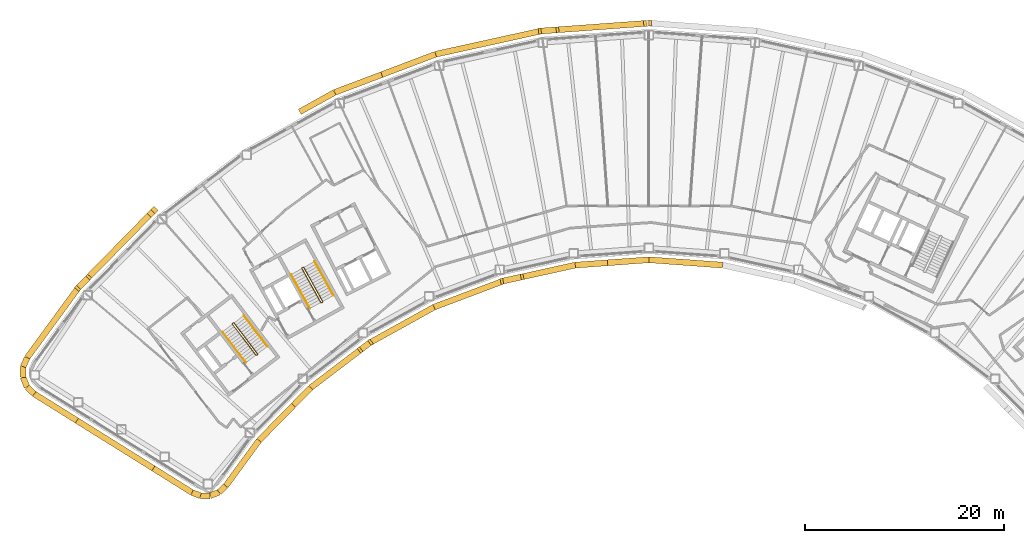
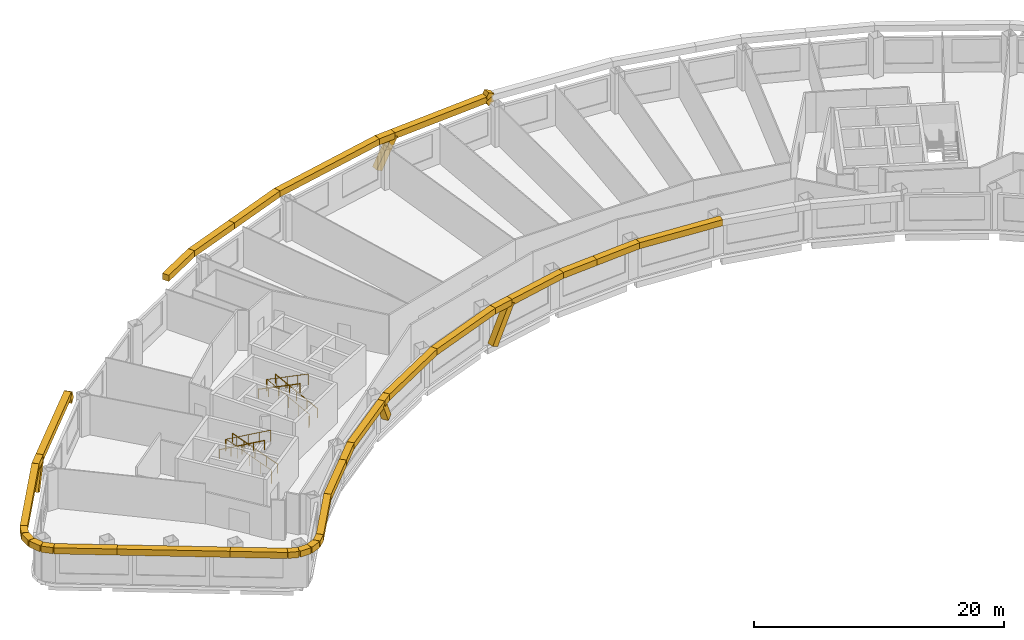
# One storey, part 13 of 14: 39 coverings, 6 railings.
"""IFC4 building model written with IfcOpenShell, lengths in metres."""

from ifc_helpers import new_model, si_unit, direction, frame, origin, origin_2d, place, context, subcontext, project, spatial, rectangle, circle, extrude, material, material_profile, profile_set, type_object, element, save


model = new_model("IFC4")

# Units and contexts
model_context = context("Model", 3, precision=1e-05, world=origin(), true_north=direction((0.0, 1.0)))
body_context = subcontext(model_context, "Body", "Model", "MODEL_VIEW")
ifc_project = project(units=[si_unit("LENGTHUNIT", "METRE"), si_unit("AREAUNIT", "SQUARE_METRE"), si_unit("VOLUMEUNIT", "CUBIC_METRE"), si_unit("PLANEANGLEUNIT", "RADIAN"), si_unit("MASSUNIT", "GRAM", prefix="KILO")], contexts=[model_context])

# Site, building, storey
site_placement = place(None, origin())
site = spatial("IfcSite", under=ifc_project, at=site_placement, CompositionType="ELEMENT")
building_placement = place(site_placement, origin())
building = spatial("IfcBuilding", under=site, at=building_placement, Name="Tuul Gate Civic Tower", CompositionType="ELEMENT")
storey_placement = place(building_placement, frame((0.0, 0.0, 213.699951171875)))
storey = spatial("IfcBuildingStorey", under=building, at=storey_placement, Name="Level 48", CompositionType="ELEMENT", Elevation=213.699951171875)

# Railings
ifc_material_1 = material(Name="Painted steel", Category="steel")
railing_type_1 = type_object("IfcRailingType", Name="Stair guard", PredefinedType="GUARDRAIL", material=ifc_material_1)
railing_1_placement = place(storey_placement, frame((-33.382080078125, -13.515380859375, 0.0)))
element("IfcRailing", 1, at=railing_1_placement, inside=storey, type_object=railing_type_1, Name="Level 48 ST-1 stair guard 1", PredefinedType="GUARDRAIL", context=body_context, shape_type="SweptSolid", body=[
    extrude(circle(Radius=0.02392578125, at=origin_2d()), frame((0.0, 0.0, 1.076171875), z_axis=(-0.795879841968, -0.605454603706, 0.0), x_axis=(0.605454603706, -0.795879841968, 0.0)), (0.0, 0.0, 1.0), 0.10009765625),
    extrude(circle(Radius=0.02392578125, at=origin_2d()), frame((-0.07958984375, -0.060546875, 1.076171875), z_axis=(0.408676696321, 0.599019267211, 0.688592241747), x_axis=(-0.826063974707, 0.563576356576, 0.0)), (0.0, 0.0, 1.0), 0.218017578125),
    extrude(circle(Radius=0.02392578125, at=origin_2d()), frame((0.009521484375, 0.070068359375, 1.22607421875), z_axis=(-0.541824460341, 0.711645023348, 0.447199748346), x_axis=(-0.795637165283, -0.60577347352, 0.0)), (0.0, 0.0, 1.0), 4.3603515625),
    extrude(circle(Radius=0.02392578125, at=origin_2d()), frame((-2.35302734375, 3.173095703125, 3.17626953125), z_axis=(-0.990893089246, 0.134650977284, 0.0), x_axis=(-0.134650977284, -0.990893089246, 0.0)), (0.0, 0.0, 1.0), 0.07080078125),
    extrude(circle(Radius=0.02392578125, at=origin_2d()), frame((-2.423095703125, 3.1826171875, 3.17626953125), z_axis=(-0.793802879778, -0.60817512943, 0.0), x_axis=(0.60817512943, -0.793802879778, 0.0)), (0.0, 0.0, 1.0), 0.099853515625),
    extrude(circle(Radius=0.02392578125, at=origin_2d()), frame((-2.50244140625, 3.121826171875, 3.17626953125), z_axis=(-0.057447065493, -0.422751481959, 0.904423031091), x_axis=(0.990893089246, -0.134650977284, 0.0)), (0.0, 0.0, 1.0), 0.165771484375),
    extrude(circle(Radius=0.02392578125, at=origin_2d()), frame((-2.511962890625, 3.0517578125, 3.326171875), z_axis=(0.541806494602, -0.71163897684, 0.447231136047), x_axis=(0.795644365679, 0.605764016233, 0.0)), (0.0, 0.0, 1.0), 4.360107421875),
    extrude(circle(Radius=0.02099609375, at=origin_2d()), origin(), (0.0, 0.0, 1.0), 1.052001953125),
    extrude(circle(Radius=0.02099609375, at=origin_2d()), frame((-0.07958984375, -0.060546875, 0.0)), (0.0, 0.0, 1.0), 1.052001953125),
    extrude(circle(Radius=0.02099609375, at=origin_2d()), frame((0.009521484375, 0.070068359375, 0.150146484375)), (0.0, 0.0, 1.0), 1.052001953125),
    extrude(circle(Radius=0.02099609375, at=origin_2d()), frame((-0.5810546875, 0.845703125, 0.6376953125)), (0.0, 0.0, 1.0), 1.052001953125),
    extrude(circle(Radius=0.02099609375, at=origin_2d()), frame((-1.171875, 1.62158203125, 1.125)), (0.0, 0.0, 1.0), 1.052001953125),
    extrude(circle(Radius=0.02099609375, at=origin_2d()), frame((-1.762451171875, 2.3974609375, 1.612548828125)), (0.0, 0.0, 1.0), 1.052001953125),
    extrude(circle(Radius=0.02099609375, at=origin_2d()), frame((-2.35302734375, 3.173095703125, 2.10009765625)), (0.0, 0.0, 1.0), 1.052001953125),
    extrude(circle(Radius=0.02099609375, at=origin_2d()), frame((-2.423095703125, 3.1826171875, 2.10009765625)), (0.0, 0.0, 1.0), 1.052001953125),
    extrude(circle(Radius=0.02099609375, at=origin_2d()), frame((-2.50244140625, 3.121826171875, 2.10009765625)), (0.0, 0.0, 1.0), 1.052001953125),
    extrude(circle(Radius=0.02099609375, at=origin_2d()), frame((-2.511962890625, 3.0517578125, 2.25)), (0.0, 0.0, 1.0), 1.052001953125),
    extrude(circle(Radius=0.02099609375, at=origin_2d()), frame((-1.92138671875, 2.276123046875, 2.737548828125)), (0.0, 0.0, 1.0), 1.052001953125),
    extrude(circle(Radius=0.02099609375, at=origin_2d()), frame((-1.330810546875, 1.50048828125, 3.22509765625)), (0.0, 0.0, 1.0), 1.052001953125),
    extrude(circle(Radius=0.02099609375, at=origin_2d()), frame((-0.740234375, 0.724609375, 3.71240234375)), (0.0, 0.0, 1.0), 1.052001953125),
    extrude(circle(Radius=0.02099609375, at=origin_2d()), frame((-0.149658203125, -0.051025390625, 4.199951171875)), (0.0, 0.0, 1.0), 1.052001953125),
])
railing_2_placement = place(storey_placement, frame((-26.857666015625, -8.247314453125, 0.0)))
element("IfcRailing", 2, at=railing_2_placement, inside=storey, type_object=railing_type_1, Name="Level 48 ST-2 stair guard 1", PredefinedType="GUARDRAIL", context=body_context, shape_type="SweptSolid", body=[
    extrude(circle(Radius=0.02392578125, at=origin_2d()), frame((0.0, 0.0, 1.076171875), z_axis=(-0.874616555828, -0.48481530532, 0.0), x_axis=(0.48481530532, -0.874616555828, 0.0)), (0.0, 0.0, 1.0), 0.10009765625),
    extrude(circle(Radius=0.02392578125, at=origin_2d()), frame((-0.087646484375, -0.048583984375, 1.076171875), z_axis=(0.490435707169, 0.534104639999, 0.688625479244), x_axis=(-0.736576986774, 0.676353711126, 0.0)), (0.0, 0.0, 1.0), 0.218017578125),
    extrude(circle(Radius=0.02392578125, at=origin_2d()), frame((0.019287109375, 0.06787109375, 1.22607421875), z_axis=(-0.43354991378, 0.782327185242, 0.447212083348), x_axis=(-0.874667644053, -0.484723129681, 0.0)), (0.0, 0.0, 1.0), 4.3603515625),
    extrude(circle(Radius=0.02392578125, at=origin_2d()), frame((-1.87109375, 3.47900390625, 3.17626953125), z_axis=(-0.961263487578, 0.275631107549, 0.0), x_axis=(-0.275631107549, -0.961263487578, 0.0)), (0.0, 0.0, 1.0), 0.07080078125),
    extrude(circle(Radius=0.02392578125, at=origin_2d()), frame((-1.939208984375, 3.49853515625, 3.17626953125), z_axis=(-0.874042088414, -0.485850211157, 0.0), x_axis=(0.485850211157, -0.874042088414, 0.0)), (0.0, 0.0, 1.0), 0.10009765625),
    extrude(circle(Radius=0.02392578125, at=origin_2d()), frame((-2.026611328125, 3.449951171875, 3.17626953125), z_axis=(-0.117866478395, -0.409586012422, 0.90462522168), x_axis=(0.961000426733, -0.276546885391, 0.0)), (0.0, 0.0, 1.0), 0.165771484375),
    extrude(circle(Radius=0.02392578125, at=origin_2d()), frame((-2.046142578125, 3.382080078125, 3.326171875), z_axis=(0.433595379963, -0.782308193291, 0.447201226726), x_axis=(0.874641102302, 0.484771020343, 0.0)), (0.0, 0.0, 1.0), 4.3603515625),
    extrude(circle(Radius=0.02099609375, at=origin_2d()), origin(), (0.0, 0.0, 1.0), 1.052001953125),
    extrude(circle(Radius=0.02099609375, at=origin_2d()), frame((-0.087646484375, -0.048583984375, 0.0)), (0.0, 0.0, 1.0), 1.052001953125),
    extrude(circle(Radius=0.02099609375, at=origin_2d()), frame((0.019287109375, 0.06787109375, 0.150146484375)), (0.0, 0.0, 1.0), 1.052001953125),
    extrude(circle(Radius=0.02099609375, at=origin_2d()), frame((-0.453369140625, 0.920654296875, 0.6376953125)), (0.0, 0.0, 1.0), 1.052001953125),
    extrude(circle(Radius=0.02099609375, at=origin_2d()), frame((-0.92578125, 1.7734375, 1.125)), (0.0, 0.0, 1.0), 1.052001953125),
    extrude(circle(Radius=0.02099609375, at=origin_2d()), frame((-1.3984375, 2.626220703125, 1.612548828125)), (0.0, 0.0, 1.0), 1.052001953125),
    extrude(circle(Radius=0.02099609375, at=origin_2d()), frame((-1.87109375, 3.47900390625, 2.10009765625)), (0.0, 0.0, 1.0), 1.052001953125),
    extrude(circle(Radius=0.02099609375, at=origin_2d()), frame((-1.939208984375, 3.49853515625, 2.10009765625)), (0.0, 0.0, 1.0), 1.052001953125),
    extrude(circle(Radius=0.02099609375, at=origin_2d()), frame((-2.026611328125, 3.449951171875, 2.10009765625)), (0.0, 0.0, 1.0), 1.052001953125),
    extrude(circle(Radius=0.02099609375, at=origin_2d()), frame((-2.046142578125, 3.382080078125, 2.25)), (0.0, 0.0, 1.0), 1.052001953125),
    extrude(circle(Radius=0.02099609375, at=origin_2d()), frame((-1.573486328125, 2.529296875, 2.737548828125)), (0.0, 0.0, 1.0), 1.052001953125),
    extrude(circle(Radius=0.02099609375, at=origin_2d()), frame((-1.100830078125, 1.676513671875, 3.22509765625)), (0.0, 0.0, 1.0), 1.052001953125),
    extrude(circle(Radius=0.02099609375, at=origin_2d()), frame((-0.628173828125, 0.82373046875, 3.71240234375)), (0.0, 0.0, 1.0), 1.052001953125),
    extrude(circle(Radius=0.02099609375, at=origin_2d()), frame((-0.155517578125, -0.029052734375, 4.199951171875)), (0.0, 0.0, 1.0), 1.052001953125),
])
ifc_material_2 = material(Name="Painted steel", Category="steel")
railing_type_2 = type_object("IfcRailingType", Name="Stair handrail", PredefinedType="HANDRAIL", material=ifc_material_2)
railing_3_placement = place(storey_placement, frame((-32.3779296875, -12.688232421875, 0.150146484375)))
element("IfcRailing", 3, at=railing_3_placement, inside=storey, type_object=railing_type_2, Name="Level 48 ST-1 stair handrail 1", PredefinedType="HANDRAIL", context=body_context, shape_type="SweptSolid", body=[
    extrude(circle(Radius=0.02392578125, at=origin_2d()), frame((0.0, 0.0, 0.8759765625), z_axis=(-0.541824460341, 0.711645023348, 0.447199748346), x_axis=(-0.795637165283, -0.60577347352, 0.0)), (0.0, 0.0, 1.0), 4.3603515625),
    extrude(circle(Radius=0.02099609375, at=origin_2d()), origin(), (0.0, 0.0, 1.0), 0.851806640625),
    extrude(circle(Radius=0.02099609375, at=origin_2d()), frame((-0.590576171875, 0.77587890625, 0.487548828125)), (0.0, 0.0, 1.0), 0.851806640625),
    extrude(circle(Radius=0.02099609375, at=origin_2d()), frame((-1.18115234375, 1.551513671875, 0.97509765625)), (0.0, 0.0, 1.0), 0.851806640625),
    extrude(circle(Radius=0.02099609375, at=origin_2d()), frame((-1.77197265625, 2.3271484375, 1.46240234375)), (0.0, 0.0, 1.0), 0.851806640625),
    extrude(circle(Radius=0.02099609375, at=origin_2d()), frame((-2.362548828125, 3.10302734375, 1.949951171875)), (0.0, 0.0, 1.0), 0.851806640625),
])
railing_4_placement = place(storey_placement, frame((-36.888671875, -11.220703125, 2.25)))
element("IfcRailing", 4, at=railing_4_placement, inside=storey, type_object=railing_type_2, Name="Level 48 ST-1 stair handrail 2", PredefinedType="HANDRAIL", context=body_context, shape_type="SweptSolid", body=[
    extrude(circle(Radius=0.02392578125, at=origin_2d()), frame((0.0, 0.0, 0.8759765625), z_axis=(0.541824460341, -0.711645023348, 0.447199748346), x_axis=(0.795637165283, 0.60577347352, 0.0)), (0.0, 0.0, 1.0), 4.3603515625),
    extrude(circle(Radius=0.02099609375, at=origin_2d()), origin(), (0.0, 0.0, 1.0), 0.851806640625),
    extrude(circle(Radius=0.02099609375, at=origin_2d()), frame((0.590576171875, -0.77587890625, 0.487548828125)), (0.0, 0.0, 1.0), 0.851806640625),
    extrude(circle(Radius=0.02099609375, at=origin_2d()), frame((1.18115234375, -1.551513671875, 0.97509765625)), (0.0, 0.0, 1.0), 0.851806640625),
    extrude(circle(Radius=0.02099609375, at=origin_2d()), frame((1.77197265625, -2.3271484375, 1.46240234375)), (0.0, 0.0, 1.0), 0.851806640625),
    extrude(circle(Radius=0.02099609375, at=origin_2d()), frame((2.362548828125, -3.10302734375, 1.949951171875)), (0.0, 0.0, 1.0), 0.851806640625),
])
railing_5_placement = place(storey_placement, frame((-25.744873046875, -7.573486328125, 0.150146484375)))
element("IfcRailing", 5, at=railing_5_placement, inside=storey, type_object=railing_type_2, Name="Level 48 ST-2 stair handrail 1", PredefinedType="HANDRAIL", context=body_context, shape_type="SweptSolid", body=[
    extrude(circle(Radius=0.02392578125, at=origin_2d()), frame((0.0, 0.0, 0.8759765625), z_axis=(-0.433595379963, 0.782308193291, 0.447201226726), x_axis=(-0.874641102302, -0.484771020343, 0.0)), (0.0, 0.0, 1.0), 4.3603515625),
    extrude(circle(Radius=0.02099609375, at=origin_2d()), origin(), (0.0, 0.0, 1.0), 0.851806640625),
    extrude(circle(Radius=0.02099609375, at=origin_2d()), frame((-0.47265625, 0.852783203125, 0.487548828125)), (0.0, 0.0, 1.0), 0.851806640625),
    extrude(circle(Radius=0.02099609375, at=origin_2d()), frame((-0.9453125, 1.70556640625, 0.97509765625)), (0.0, 0.0, 1.0), 0.851806640625),
    extrude(circle(Radius=0.02099609375, at=origin_2d()), frame((-1.41796875, 2.558349609375, 1.46240234375)), (0.0, 0.0, 1.0), 0.851806640625),
    extrude(circle(Radius=0.02099609375, at=origin_2d()), frame((-1.890625, 3.4111328125, 1.949951171875)), (0.0, 0.0, 1.0), 0.851806640625),
])
railing_6_placement = place(storey_placement, frame((-29.9970703125, -5.47119140625, 2.25)))
element("IfcRailing", 6, at=railing_6_placement, inside=storey, type_object=railing_type_2, Name="Level 48 ST-2 stair handrail 2", PredefinedType="HANDRAIL", context=body_context, shape_type="SweptSolid", body=[
    extrude(circle(Radius=0.02392578125, at=origin_2d()), frame((0.0, 0.0, 0.8759765625), z_axis=(0.433595379963, -0.782308193291, 0.447201226726), x_axis=(0.874641102302, 0.484771020343, 0.0)), (0.0, 0.0, 1.0), 4.3603515625),
    extrude(circle(Radius=0.02099609375, at=origin_2d()), origin(), (0.0, 0.0, 1.0), 0.851806640625),
    extrude(circle(Radius=0.02099609375, at=origin_2d()), frame((0.47265625, -0.852783203125, 0.487548828125)), (0.0, 0.0, 1.0), 0.851806640625),
    extrude(circle(Radius=0.02099609375, at=origin_2d()), frame((0.9453125, -1.70556640625, 0.97509765625)), (0.0, 0.0, 1.0), 0.851806640625),
    extrude(circle(Radius=0.02099609375, at=origin_2d()), frame((1.41796875, -2.558349609375, 1.46240234375)), (0.0, 0.0, 1.0), 0.851806640625),
    extrude(circle(Radius=0.02099609375, at=origin_2d()), frame((1.890625, -3.4111328125, 1.949951171875)), (0.0, 0.0, 1.0), 0.851806640625),
])

# Coverings
ifc_material_3 = material(Name="Terracotta baguette", Category="masonry")
ifc_material_profile = material_profile(ifc_material_3, rectangle(XDim=0.60009765625, YDim=0.60009765625, at=origin_2d()), Name="Terracotta baguette screen frame")
ifc_profile_set = profile_set([ifc_material_profile], Name="Terracotta baguette")
covering_type = type_object("IfcCoveringType", Name="Terracotta baguette screen frame", PredefinedType="CLADDING", material=ifc_profile_set)
covering_1_placement = place(storey_placement, frame((5.93994140625, 19.76904296875, 4.3486328125), z_axis=(-0.473972231747, -0.034470707763, -0.879864815661), x_axis=(0.072535695779, -0.997365816959, 0.0)))
element("IfcCovering", 7, at=covering_1_placement, inside=storey, type_object=covering_type, Name="Baguette 70", PredefinedType="CLADDING", context=body_context, shape_type="SweptSolid", body=[
    extrude(rectangle(XDim=0.60009765625, YDim=0.60009765625, at=origin_2d()), origin(), (0.0, 0.0, 1.0), 0.566650390625),
])
covering_2_placement = place(storey_placement, frame((5.67138671875, 19.74951171875, 3.85009765625), z_axis=(0.473792597788, 0.034457643475, -0.879962070255), x_axis=(-0.072535695779, 0.997365816959, 0.0)))
element("IfcCovering", 8, at=covering_2_placement, inside=storey, type_object=covering_type, Name="Baguette 73", PredefinedType="CLADDING", context=body_context, shape_type="SweptSolid", body=[
    extrude(rectangle(XDim=0.60009765625, YDim=0.60009765625, at=origin_2d()), origin(), (0.0, 0.0, 1.0), 0.56689453125),
])
covering_3_placement = place(storey_placement, frame((5.67138671875, 19.74951171875, 3.85009765625), z_axis=(-0.997380380277, -0.072335171524, 0.0), x_axis=(0.072335171524, -0.997380380277, 0.0)))
element("IfcCovering", 9, at=covering_3_placement, inside=storey, type_object=covering_type, Name="Baguette 75", PredefinedType="CLADDING", context=body_context, shape_type="SweptSolid", body=[
    extrude(rectangle(XDim=0.60009765625, YDim=0.60009765625, at=origin_2d()), origin(), (0.0, 0.0, 1.0), 9.072265625),
])
covering_4_placement = place(storey_placement, frame((-3.377197265625, 19.09326171875, 3.85009765625), z_axis=(-0.473907258858, -0.034338879026, -0.879904967249), x_axis=(0.072269598768, -0.997385133784, 0.0)))
element("IfcCovering", 10, at=covering_4_placement, inside=storey, type_object=covering_type, Name="Baguette 79", PredefinedType="CLADDING", context=body_context, shape_type="SweptSolid", body=[
    extrude(rectangle(XDim=0.60009765625, YDim=0.60009765625, at=origin_2d()), origin(), (0.0, 0.0, 1.0), 3.177978515625),
])
covering_5_placement = place(storey_placement, frame((-20.889892578125, 14.603515625, 3.85009765625), z_axis=(-0.935375437062, -0.353656318679, 0.0), x_axis=(0.353656318679, -0.935375437062, 0.0)))
element("IfcCovering", 11, at=covering_5_placement, inside=storey, type_object=covering_type, Name="Baguette 96", PredefinedType="CLADDING", context=body_context, shape_type="SweptSolid", body=[
    extrude(rectangle(XDim=0.60009765625, YDim=0.60009765625, at=origin_2d()), origin(), (0.0, 0.0, 1.0), 5.067626953125),
])
covering_6_placement = place(storey_placement, frame((-25.630126953125, 12.811279296875, 3.85009765625), z_axis=(-0.874611227517, -0.484824917575, 0.0), x_axis=(0.484824917575, -0.874611227517, 0.0)))
element("IfcCovering", 12, at=covering_6_placement, inside=storey, type_object=covering_type, Name="Baguette 97", PredefinedType="CLADDING", context=body_context, shape_type="SweptSolid", body=[
    extrude(rectangle(XDim=0.60009765625, YDim=0.60009765625, at=origin_2d()), origin(), (0.0, 0.0, 1.0), 4.0048828125),
])
covering_7_placement = place(storey_placement, frame((-44.06689453125, 0.656982421875, 3.85009765625), z_axis=(0.332358905678, 0.339353208447, -0.879986907706), x_axis=(-0.714430906799, 0.69970599498, 0.0)))
element("IfcCovering", 13, at=covering_7_placement, inside=storey, type_object=covering_type, Name="Baguette 115", PredefinedType="CLADDING", context=body_context, shape_type="SweptSolid", body=[
    extrude(rectangle(XDim=0.60009765625, YDim=0.60009765625, at=origin_2d()), origin(), (0.0, 0.0, 1.0), 0.9423828125),
])
covering_8_placement = place(storey_placement, frame((-44.06689453125, 0.656982421875, 3.85009765625), z_axis=(-0.69999391998, -0.714148802415, 0.0), x_axis=(0.714148802415, -0.69999391998, 0.0)))
element("IfcCovering", 14, at=covering_8_placement, inside=storey, type_object=covering_type, Name="Baguette 117", PredefinedType="CLADDING", context=body_context, shape_type="SweptSolid", body=[
    extrude(rectangle(XDim=0.60009765625, YDim=0.60009765625, at=origin_2d()), origin(), (0.0, 0.0, 1.0), 9.072265625),
])
covering_9_placement = place(storey_placement, frame((-50.41748046875, -5.822021484375, 3.85009765625), z_axis=(-0.332679935441, -0.339302165691, -0.879885277131), x_axis=(0.714040485418, -0.700104410202, 0.0)))
element("IfcCovering", 15, at=covering_9_placement, inside=storey, type_object=covering_type, Name="Baguette 121", PredefinedType="CLADDING", context=body_context, shape_type="SweptSolid", body=[
    extrude(rectangle(XDim=0.60009765625, YDim=0.60009765625, at=origin_2d()), origin(), (0.0, 0.0, 1.0), 2.8017578125),
])
covering_10_placement = place(storey_placement, frame((-51.505615234375, -20.144287109375, 3.85009765625), z_axis=(0.848051326016, -0.529914095342, 0.0), x_axis=(0.529914095342, 0.848051326016, 0.0)))
element("IfcCovering", 16, at=covering_10_placement, inside=storey, type_object=covering_type, Name="Baguette 150", PredefinedType="CLADDING", context=body_context, shape_type="SweptSolid", body=[
    extrude(rectangle(XDim=0.60009765625, YDim=0.60009765625, at=origin_2d()), origin(), (0.0, 0.0, 1.0), 9.052978515625),
])
covering_11_placement = place(storey_placement, frame((-29.767578125, -18.612060546875, 3.85009765625), z_axis=(0.699987797837, 0.714154803162, 0.0), x_axis=(-0.714154803162, 0.699987797837, 0.0)))
element("IfcCovering", 17, at=covering_11_placement, inside=storey, type_object=covering_type, Name="Baguette 181", PredefinedType="CLADDING", context=body_context, shape_type="SweptSolid", body=[
    extrude(rectangle(XDim=0.60009765625, YDim=0.60009765625, at=origin_2d()), origin(), (0.0, 0.0, 1.0), 2.4814453125),
])
covering_12_placement = place(storey_placement, frame((-28.030517578125, -16.83984375, 3.85009765625), z_axis=(0.795586533253, 0.605839969057, 0.0), x_axis=(-0.605839969057, 0.795586533253, 0.0)))
element("IfcCovering", 18, at=covering_12_placement, inside=storey, type_object=covering_type, Name="Baguette 182", PredefinedType="CLADDING", context=body_context, shape_type="SweptSolid", body=[
    extrude(rectangle(XDim=0.60009765625, YDim=0.60009765625, at=origin_2d()), origin(), (0.0, 0.0, 1.0), 6.370361328125),
])
covering_13_placement = place(storey_placement, frame((-22.96240234375, -12.98046875, 3.85009765625), z_axis=(0.370796373736, 0.282387396518, -0.884741435399), x_axis=(-0.605874698824, 0.795560085302, 0.0)))
element("IfcCovering", 19, at=covering_13_placement, inside=storey, type_object=covering_type, Name="Baguette 186", PredefinedType="CLADDING", context=body_context, shape_type="SweptSolid", body=[
    extrude(rectangle(XDim=0.60009765625, YDim=0.60009765625, at=origin_2d()), origin(), (0.0, 0.0, 1.0), 2.247802734375),
])
covering_14_placement = place(storey_placement, frame((-6.925048828125, -5.73388671875, 3.85009765625), z_axis=(-0.45518057448, -0.10035231072, -0.884725979244), x_axis=(0.215296786561, -0.976548664275, 0.0)))
element("IfcCovering", 20, at=covering_14_placement, inside=storey, type_object=covering_type, Name="Baguette 204", PredefinedType="CLADDING", context=body_context, shape_type="SweptSolid", body=[
    extrude(rectangle(XDim=0.60009765625, YDim=0.60009765625, at=origin_2d()), origin(), (0.0, 0.0, 1.0), 3.90478515625),
])
covering_15_placement = place(storey_placement, frame((-6.925048828125, -5.73388671875, 3.85009765625), z_axis=(0.976560188543, 0.215244507836, 0.0), x_axis=(-0.215244507836, 0.976560188543, 0.0)))
element("IfcCovering", 21, at=covering_15_placement, inside=storey, type_object=covering_type, Name="Baguette 206", PredefinedType="CLADDING", context=body_context, shape_type="SweptSolid", body=[
    extrude(rectangle(XDim=0.60009765625, YDim=0.60009765625, at=origin_2d()), origin(), (0.0, 0.0, 1.0), 5.597412109375),
])
covering_16_placement = place(storey_placement, frame((-1.458740234375, -4.529052734375, 3.85009765625), z_axis=(0.997392392796, 0.072169348016, 0.0), x_axis=(-0.072169348016, 0.997392392796, 0.0)))
element("IfcCovering", 22, at=covering_16_placement, inside=storey, type_object=covering_type, Name="Baguette 207", PredefinedType="CLADDING", context=body_context, shape_type="SweptSolid", body=[
    extrude(rectangle(XDim=0.60009765625, YDim=0.60009765625, at=origin_2d()), origin(), (0.0, 0.0, 1.0), 3.25439453125),
])
covering_17_placement = place(storey_placement, frame((-3.377197265625, 19.09326171875, 3.85009765625), z_axis=(-0.997385133784, -0.072269598768, 0.0), x_axis=(0.072269598768, -0.997385133784, 0.0)))
element("IfcCovering", 23, at=covering_17_placement, inside=storey, type_object=covering_type, Name="Baguette 308", PredefinedType="CLADDING", context=body_context, shape_type="SweptSolid", body=[
    extrude(rectangle(XDim=0.60009765625, YDim=0.60009765625, at=origin_2d()), origin(), (0.0, 0.0, 1.0), 1.510009765625),
])
covering_18_placement = place(storey_placement, frame((-4.88330078125, 18.984130859375, 3.85009765625), z_axis=(-0.976565652409, -0.215219716881, 0.0), x_axis=(0.215219716881, -0.976565652409, 0.0)))
element("IfcCovering", 24, at=covering_18_placement, inside=storey, type_object=covering_type, Name="Baguette 309", PredefinedType="CLADDING", context=body_context, shape_type="SweptSolid", body=[
    extrude(rectangle(XDim=0.60009765625, YDim=0.60009765625, at=origin_2d()), origin(), (0.0, 0.0, 1.0), 10.8515625),
])
covering_19_placement = place(storey_placement, frame((-15.48046875, 16.648681640625, 3.85009765625), z_axis=(-0.935380259601, -0.353643563419, 0.0), x_axis=(0.353643563419, -0.935380259601, 0.0)))
element("IfcCovering", 25, at=covering_19_placement, inside=storey, type_object=covering_type, Name="Baguette 310", PredefinedType="CLADDING", context=body_context, shape_type="SweptSolid", body=[
    extrude(rectangle(XDim=0.60009765625, YDim=0.60009765625, at=origin_2d()), origin(), (0.0, 0.0, 1.0), 5.783203125),
])
covering_20_placement = place(storey_placement, frame((-50.41748046875, -5.822021484375, 3.85009765625), z_axis=(-0.700104410202, -0.714040485418, 0.0), x_axis=(0.714040485418, -0.700104410202, 0.0)))
element("IfcCovering", 26, at=covering_20_placement, inside=storey, type_object=covering_type, Name="Baguette 319", PredefinedType="CLADDING", context=body_context, shape_type="SweptSolid", body=[
    extrude(rectangle(XDim=0.60009765625, YDim=0.60009765625, at=origin_2d()), origin(), (0.0, 0.0, 1.0), 1.331298828125),
])
covering_21_placement = place(storey_placement, frame((-51.349609375, -6.772705078125, 3.85009765625), z_axis=(-0.589882040024, -0.807489429564, 0.0), x_axis=(0.807489429564, -0.589882040024, 0.0)))
element("IfcCovering", 27, at=covering_21_placement, inside=storey, type_object=covering_type, Name="Baguette 320", PredefinedType="CLADDING", context=body_context, shape_type="SweptSolid", body=[
    extrude(rectangle(XDim=0.60009765625, YDim=0.60009765625, at=origin_2d()), origin(), (0.0, 0.0, 1.0), 8.7353515625),
])
covering_22_placement = place(storey_placement, frame((-56.50244140625, -13.826416015625, 3.85009765625), z_axis=(-0.411904289645, -0.911227115582, 0.0), x_axis=(0.911227115582, -0.411904289645, 0.0)))
element("IfcCovering", 28, at=covering_22_placement, inside=storey, type_object=covering_type, Name="Baguette 321", PredefinedType="CLADDING", context=body_context, shape_type="SweptSolid", body=[
    extrude(rectangle(XDim=0.60009765625, YDim=0.60009765625, at=origin_2d()), origin(), (0.0, 0.0, 1.0), 0.988525390625),
])
covering_23_placement = place(storey_placement, frame((-56.90966796875, -14.727294921875, 3.85009765625), z_axis=(-0.014657151856, -0.99989257818, 0.0), x_axis=(0.99989257818, -0.014657151856, 0.0)))
element("IfcCovering", 29, at=covering_23_placement, inside=storey, type_object=covering_type, Name="Baguette 322", PredefinedType="CLADDING", context=body_context, shape_type="SweptSolid", body=[
    extrude(rectangle(XDim=0.60009765625, YDim=0.60009765625, at=origin_2d()), origin(), (0.0, 0.0, 1.0), 1.06591796875),
])
covering_24_placement = place(storey_placement, frame((-56.92529296875, -15.793212890625, 3.85009765625), z_axis=(0.385784883999, -0.922588761734, 0.0), x_axis=(0.922588761734, 0.385784883999, 0.0)))
element("IfcCovering", 30, at=covering_24_placement, inside=storey, type_object=covering_type, Name="Baguette 323", PredefinedType="CLADDING", context=body_context, shape_type="SweptSolid", body=[
    extrude(rectangle(XDim=0.60009765625, YDim=0.60009765625, at=origin_2d()), origin(), (0.0, 0.0, 1.0), 1.06689453125),
])
covering_25_placement = place(storey_placement, frame((-56.513671875, -16.777587890625, 3.85009765625), z_axis=(0.722137314744, -0.691749737011, 0.0), x_axis=(0.691749737011, 0.722137314744, 0.0)))
element("IfcCovering", 31, at=covering_25_placement, inside=storey, type_object=covering_type, Name="Baguette 324", PredefinedType="CLADDING", context=body_context, shape_type="SweptSolid", body=[
    extrude(rectangle(XDim=0.60009765625, YDim=0.60009765625, at=origin_2d()), origin(), (0.0, 0.0, 1.0), 0.98828125),
])
covering_26_placement = place(storey_placement, frame((-55.800048828125, -17.461181640625, 3.85009765625), z_axis=(0.848079553138, -0.529868919215, 0.0), x_axis=(0.529868919215, 0.848079553138, 0.0)))
element("IfcCovering", 32, at=covering_26_placement, inside=storey, type_object=covering_type, Name="Baguette 325", PredefinedType="CLADDING", context=body_context, shape_type="SweptSolid", body=[
    extrude(rectangle(XDim=0.60009765625, YDim=0.60009765625, at=origin_2d()), origin(), (0.0, 0.0, 1.0), 5.063720703125),
])
covering_27_placement = place(storey_placement, frame((-43.828125, -24.941650390625, 3.85009765625), z_axis=(0.848043227291, -0.529927055967, 0.0), x_axis=(0.529927055967, 0.848043227291, 0.0)))
element("IfcCovering", 33, at=covering_27_placement, inside=storey, type_object=covering_type, Name="Baguette 333", PredefinedType="CLADDING", context=body_context, shape_type="SweptSolid", body=[
    extrude(rectangle(XDim=0.60009765625, YDim=0.60009765625, at=origin_2d()), origin(), (0.0, 0.0, 1.0), 4.579345703125),
])
covering_28_placement = place(storey_placement, frame((-39.944580078125, -27.368408203125, 3.85009765625), z_axis=(0.93189278144, -0.362733847194, 0.0), x_axis=(0.362733847194, 0.93189278144, 0.0)))
element("IfcCovering", 34, at=covering_28_placement, inside=storey, type_object=covering_type, Name="Baguette 334", PredefinedType="CLADDING", context=body_context, shape_type="SweptSolid", body=[
    extrude(rectangle(XDim=0.60009765625, YDim=0.60009765625, at=origin_2d()), origin(), (0.0, 0.0, 1.0), 0.901123046875),
])
covering_29_placement = place(storey_placement, frame((-39.104736328125, -27.6953125, 3.85009765625), z_axis=(0.999996192163, 0.002759648297, 0.0), x_axis=(-0.002759648297, 0.999996192163, 0.0)))
element("IfcCovering", 35, at=covering_29_placement, inside=storey, type_object=covering_type, Name="Baguette 335", PredefinedType="CLADDING", context=body_context, shape_type="SweptSolid", body=[
    extrude(rectangle(XDim=0.60009765625, YDim=0.60009765625, at=origin_2d()), origin(), (0.0, 0.0, 1.0), 0.97314453125),
])
covering_30_placement = place(storey_placement, frame((-38.131591796875, -27.692626953125, 3.85009765625), z_axis=(0.929477054746, 0.368879932634, 0.0), x_axis=(-0.368879932634, 0.929477054746, 0.0)))
element("IfcCovering", 36, at=covering_30_placement, inside=storey, type_object=covering_type, Name="Baguette 336", PredefinedType="CLADDING", context=body_context, shape_type="SweptSolid", body=[
    extrude(rectangle(XDim=0.60009765625, YDim=0.60009765625, at=origin_2d()), origin(), (0.0, 0.0, 1.0), 0.972900390625),
])
covering_31_placement = place(storey_placement, frame((-37.227294921875, -27.333740234375, 3.85009765625), z_axis=(0.730001285686, 0.683445771731, 0.0), x_axis=(-0.683445771731, 0.730001285686, 0.0)))
element("IfcCovering", 37, at=covering_31_placement, inside=storey, type_object=covering_type, Name="Baguette 337", PredefinedType="CLADDING", context=body_context, shape_type="SweptSolid", body=[
    extrude(rectangle(XDim=0.60009765625, YDim=0.60009765625, at=origin_2d()), origin(), (0.0, 0.0, 1.0), 0.902099609375),
])
covering_32_placement = place(storey_placement, frame((-36.56884765625, -26.71728515625, 3.85009765625), z_axis=(0.589841740077, 0.807518867682, 0.0), x_axis=(-0.807518867682, 0.589841740077, 0.0)))
element("IfcCovering", 38, at=covering_32_placement, inside=storey, type_object=covering_type, Name="Baguette 338", PredefinedType="CLADDING", context=body_context, shape_type="SweptSolid", body=[
    extrude(rectangle(XDim=0.60009765625, YDim=0.60009765625, at=origin_2d()), origin(), (0.0, 0.0, 1.0), 5.671875),
])
covering_33_placement = place(storey_placement, frame((-33.223388671875, -22.13720703125, 3.85009765625), z_axis=(0.700049159766, 0.714094653328, 0.0), x_axis=(-0.714094653328, 0.700049159766, 0.0)))
element("IfcCovering", 39, at=covering_33_placement, inside=storey, type_object=covering_type, Name="Baguette 339", PredefinedType="CLADDING", context=body_context, shape_type="SweptSolid", body=[
    extrude(rectangle(XDim=0.60009765625, YDim=0.60009765625, at=origin_2d()), origin(), (0.0, 0.0, 1.0), 4.9365234375),
])
covering_34_placement = place(storey_placement, frame((-22.96240234375, -12.98046875, 3.85009765625), z_axis=(0.795560085302, 0.605874698824, 0.0), x_axis=(-0.605874698824, 0.795560085302, 0.0)))
element("IfcCovering", 40, at=covering_34_placement, inside=storey, type_object=covering_type, Name="Baguette 347", PredefinedType="CLADDING", context=body_context, shape_type="SweptSolid", body=[
    extrude(rectangle(XDim=0.60009765625, YDim=0.60009765625, at=origin_2d()), origin(), (0.0, 0.0, 1.0), 1.047607421875),
])
covering_35_placement = place(storey_placement, frame((-22.12890625, -12.345703125, 3.85009765625), z_axis=(0.874616400337, 0.484815585828, 0.0), x_axis=(-0.484815585828, 0.874616400337, 0.0)))
element("IfcCovering", 41, at=covering_35_placement, inside=storey, type_object=covering_type, Name="Baguette 348", PredefinedType="CLADDING", context=body_context, shape_type="SweptSolid", body=[
    extrude(rectangle(XDim=0.60009765625, YDim=0.60009765625, at=origin_2d()), origin(), (0.0, 0.0, 1.0), 7.418212890625),
])
covering_36_placement = place(storey_placement, frame((-15.640869140625, -8.749267578125, 3.85009765625), z_axis=(0.935368082117, 0.353675770951, 0.0), x_axis=(-0.353675770951, 0.935368082117, 0.0)))
element("IfcCovering", 42, at=covering_36_placement, inside=storey, type_object=covering_type, Name="Baguette 349", PredefinedType="CLADDING", context=body_context, shape_type="SweptSolid", body=[
    extrude(rectangle(XDim=0.60009765625, YDim=0.60009765625, at=origin_2d()), origin(), (0.0, 0.0, 1.0), 7.41796875),
])
covering_37_placement = place(storey_placement, frame((-8.702392578125, -6.125732421875, 3.85009765625), z_axis=(0.976548664275, 0.215296786561, 0.0), x_axis=(-0.215296786561, 0.976548664275, 0.0)))
element("IfcCovering", 43, at=covering_37_placement, inside=storey, type_object=covering_type, Name="Baguette 350", PredefinedType="CLADDING", context=body_context, shape_type="SweptSolid", body=[
    extrude(rectangle(XDim=0.60009765625, YDim=0.60009765625, at=origin_2d()), origin(), (0.0, 0.0, 1.0), 1.820068359375),
])
covering_38_placement = place(storey_placement, frame((1.787109375, -4.294189453125, 3.85009765625), z_axis=(0.997395810758, 0.072122095663, 0.0), x_axis=(-0.072122095663, 0.997395810758, 0.0)))
element("IfcCovering", 44, at=covering_38_placement, inside=storey, type_object=covering_type, Name="Baguette 355", PredefinedType="CLADDING", context=body_context, shape_type="SweptSolid", body=[
    extrude(rectangle(XDim=0.60009765625, YDim=0.60009765625, at=origin_2d()), origin(), (0.0, 0.0, 1.0), 4.16357421875),
])
covering_39_placement = place(storey_placement, frame((5.93994140625, -3.993896484375, 3.85009765625), z_axis=(0.997394311548, -0.072142825637, 0.0), x_axis=(0.072142825637, 0.997394311548, 0.0)))
element("IfcCovering", 45, at=covering_39_placement, inside=storey, type_object=covering_type, Name="Baguette 356", PredefinedType="CLADDING", context=body_context, shape_type="SweptSolid", body=[
    extrude(rectangle(XDim=0.60009765625, YDim=0.60009765625, at=origin_2d()), origin(), (0.0, 0.0, 1.0), 7.41796875),
])

save(model, "model.ifc")
